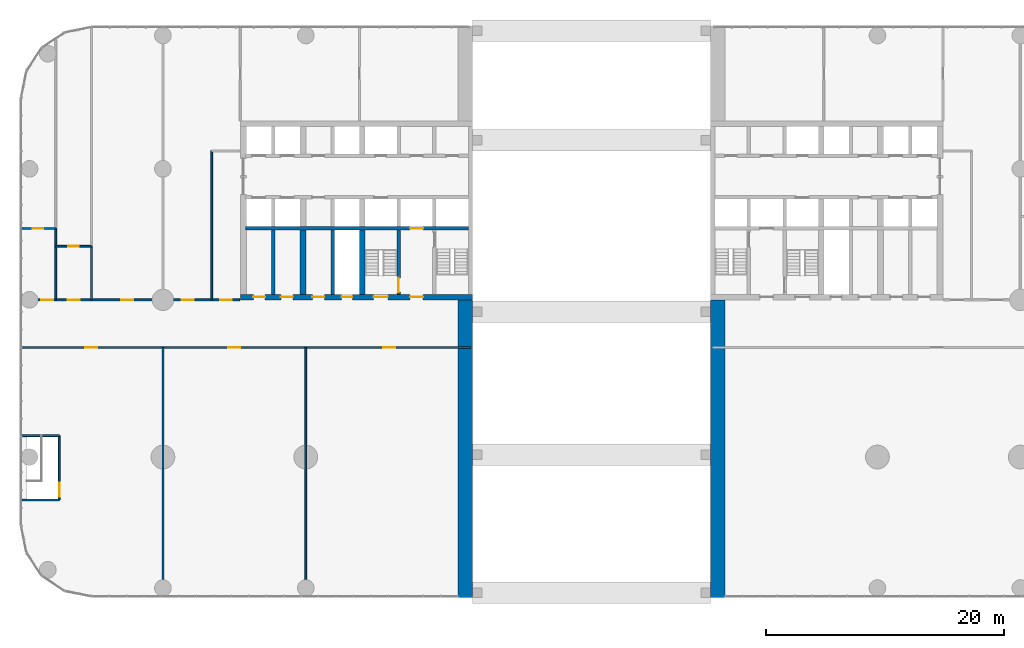
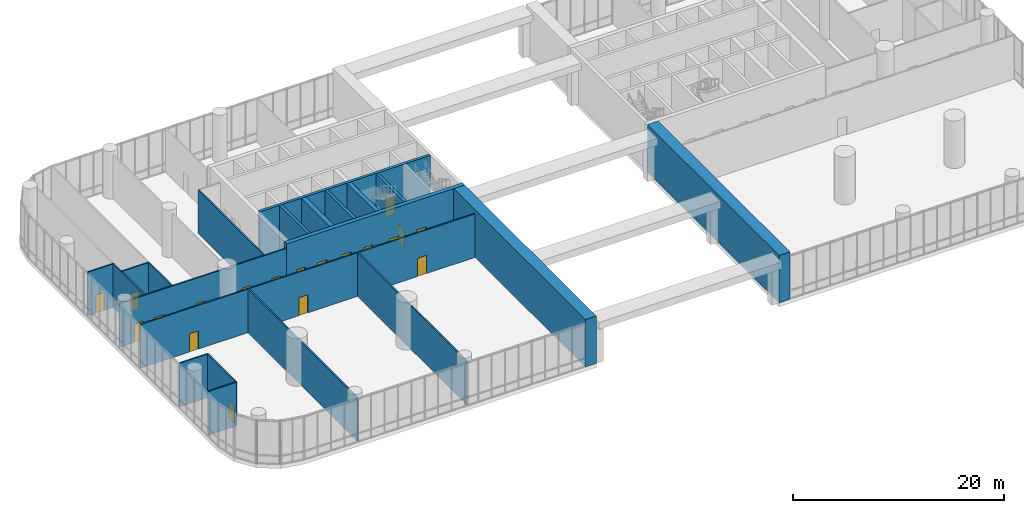
# One storey, part 24 of 30: 21 walls, 19 doors, 19 openings.
"""IFC4 building model written with IfcOpenShell, lengths in metres."""

from ifc_helpers import new_model, si_unit, direction, frame, frame_2d, origin, place, context, subcontext, project, spatial, rectangle, extrude, material, layer, layer_set, type_object, element, fill, save


model = new_model("IFC4")

# Units and contexts
model_context = context("Model", 3, precision=1e-05, world=origin(), true_north=direction((0.0, 1.0)))
body_context = subcontext(model_context, "Body", "Model", "MODEL_VIEW")
ifc_project = project(units=[si_unit("LENGTHUNIT", "METRE"), si_unit("AREAUNIT", "SQUARE_METRE"), si_unit("VOLUMEUNIT", "CUBIC_METRE"), si_unit("PLANEANGLEUNIT", "RADIAN"), si_unit("MASSUNIT", "GRAM", prefix="KILO")], contexts=[model_context])

# Site, building, storey
site_placement = place(None, origin())
site = spatial("IfcSite", under=ifc_project, at=site_placement, CompositionType="ELEMENT")
building_placement = place(site_placement, origin())
building = spatial("IfcBuilding", under=site, at=building_placement, Name="Torana Hotel and Residences", CompositionType="ELEMENT")
storey_placement = place(building_placement, frame((0.0, 0.0, 12.5)))
storey = spatial("IfcBuildingStorey", under=building, at=storey_placement, Name="L02", CompositionType="ELEMENT", Elevation=12.5)

# Walls
ifc_material_1 = material(Name="Concrete C70/85", Category="concrete")
ifc_layer_1 = layer(ifc_material_1, 1.199951171875)
ifc_layer_set_1 = layer_set([ifc_layer_1], Name="CORE WALL 1200 C70/85")
wall_type_1 = type_object("IfcWallType", Name="CORE WALL 1200 C70/85", PredefinedType="SHEAR", material=ifc_layer_set_1)
for number, where, z_axis, x_axis, name in (
    (1, (-10.60009765625, -40.0, 0.0), (0.0, 0.0, 1.0), (0.0, 1.0, 0.0), "Arch jamb wall W"),
    (2, (10.60009765625, -40.0, 0.0), (0.0, 0.0, 1.0), (0.0, 1.0, 0.0), "Arch jamb wall E"),
):
    element("IfcWall", number, at=place(storey_placement, frame(where, z_axis=z_axis, x_axis=x_axis)), inside=storey, type_object=wall_type_1, Name=name, PredefinedType="SHEAR", context=body_context, shape_type="SweptSolid", body=[
        extrude(rectangle(XDim=25.0, YDim=1.199951171875, at=frame_2d((12.5, 0.0))), origin(), (0.0, 0.0, 1.0), 5.5),
    ])

# Wall, opening, door
ifc_material_2 = material(Name="Concrete C80/95", Category="concrete")
ifc_layer_2 = layer(ifc_material_2, 0.300048828125)
ifc_layer_set_2 = layer_set([ifc_layer_2], Name="CORE WALL 300 C80/95")
wall_type_2 = type_object("IfcWallType", Name="CORE WALL 300 C80/95", PredefinedType="SHEAR", material=ifc_layer_set_2)
wall_1_placement = place(storey_placement, frame((-29.050048828125, -9.0, 0.0), z_axis=(0.0, 0.0, 1.0), x_axis=(1.0, 0.0, 0.0)))
wall_1 = element("IfcWall", 3, at=wall_1_placement, inside=storey, type_object=wall_type_2, Name="Core wall W band", PredefinedType="SHEAR", context=body_context, shape_type="SweptSolid", body=[
    extrude(rectangle(XDim=18.699951171875, YDim=0.300048828125, at=frame_2d((9.35009765625, 0.0))), origin(), (0.0, 0.0, 1.0), 5.5),
])
opening_1_placement = place(wall_1_placement, frame((13.800048828125, 0.0, 0.0)))
opening_1 = element("IfcOpeningElement", 4, at=opening_1_placement, cuts=wall_1, Name="Opening LD", PredefinedType="OPENING", context=body_context, shape_type="SweptSolid", body=[
    extrude(rectangle(XDim=1.10009765625, YDim=2.10009765625, at=frame_2d((0.550048828125, 1.050048828125))), frame((0.0, 0.159912109375, 0.0), z_axis=(0.0, -1.0, 0.0), x_axis=(1.0, 0.0, 0.0)), (0.0, 0.0, 1.0), 0.320068359375),
])
ifc_material_3 = material(Name="Stainless steel 316", Category="steel")
door_type_1 = type_object("IfcDoorType", Name="LIFT LANDING DOOR LD 1100x2100", OperationType="DOUBLE_DOOR_SLIDING", PredefinedType="USERDEFINED", material=ifc_material_3)
door_1_placement = place(opening_1_placement, origin())
door_1 = element("IfcDoor", 5, at=door_1_placement, inside=storey, type_object=door_type_1, Name="Lift landing door FF1 L02", ObjectType="LIFT LANDING DOOR", OperationType="DOUBLE_DOOR_SLIDING", OverallHeight=2.10009765625, OverallWidth=1.10009765625, PredefinedType="USERDEFINED", context=body_context, shape_type="SweptSolid", body=[
    extrude(rectangle(XDim=1.10009765625, YDim=2.10009765625, at=frame_2d((0.550048828125, 1.050048828125))), frame((0.0, 0.02490234375, 0.0), z_axis=(0.0, -1.0, 0.0), x_axis=(1.0, 0.0, 0.0)), (0.0, 0.0, 1.0), 0.050048828125),
])
fill(opening_1, door_1)

wall_2_placement = place(storey_placement, frame((-16.199951171875, -14.550048828125, 0.0), z_axis=(0.0, 0.0, 1.0), x_axis=(0.0, 1.0, 0.0)))
wall_2 = element("IfcWall", 6, at=wall_2_placement, inside=storey, type_object=wall_type_2, Name="Core wall W x6.05-band", PredefinedType="SHEAR", context=body_context, shape_type="SweptSolid", body=[
    extrude(rectangle(XDim=5.400146484375, YDim=0.300048828125, at=frame_2d((2.7001953125, 0.0))), origin(), (0.0, 0.0, 1.0), 5.5),
])
opening_2_placement = place(wall_2_placement, frame((0.199951171875, 0.0, 0.0)))
opening_2 = element("IfcOpeningElement", 7, at=opening_2_placement, cuts=wall_2, Name="Opening L02-15", PredefinedType="OPENING", context=body_context, shape_type="SweptSolid", body=[
    extrude(rectangle(XDim=1.199951171875, YDim=2.10009765625, at=frame_2d((0.60009765625, 1.050048828125))), frame((0.0, 0.159912109375, 0.0), z_axis=(0.0, -1.0, 0.0), x_axis=(1.0, 0.0, 0.0)), (0.0, 0.0, 1.0), 0.320068359375),
])
ifc_material_4 = material(Name="Steel S235", Category="steel")
door_type_2 = type_object("IfcDoorType", Name="STAIR FIRE DOOR D3 1200x2100", OperationType="SINGLE_SWING_LEFT", PredefinedType="DOOR", material=ifc_material_4)
door_2_placement = place(opening_2_placement, origin())
door_2 = element("IfcDoor", 8, at=door_2_placement, inside=storey, type_object=door_type_2, Name="Stair-B-lobby door L02", OperationType="SINGLE_SWING_RIGHT", OverallHeight=2.10009765625, OverallWidth=1.199951171875, PredefinedType="DOOR", context=body_context, shape_type="SweptSolid", body=[
    extrude(rectangle(XDim=1.199951171875, YDim=2.10009765625, at=frame_2d((0.60009765625, 1.050048828125))), frame((0.0, 0.02490234375, 0.0), z_axis=(0.0, -1.0, 0.0), x_axis=(1.0, 0.0, 0.0)), (0.0, 0.0, 1.0), 0.050048828125),
])
fill(opening_2, door_2)

# Walls
for number, where, z_axis, x_axis, name in (
    (9, (-21.75, -14.550048828125, 0.0), (0.0, 0.0, 1.0), (0.0, 1.0, 0.0), "Core wall W mm-band"),
    (10, (-26.75, -14.550048828125, 0.0), (0.0, 0.0, 1.0), (0.0, 1.0, 0.0), "Core wall W ll-band"),
):
    element("IfcWall", number, at=place(storey_placement, frame(where, z_axis=z_axis, x_axis=x_axis)), inside=storey, type_object=wall_type_2, Name=name, PredefinedType="SHEAR", context=body_context, shape_type="SweptSolid", body=[
        extrude(rectangle(XDim=5.400146484375, YDim=0.300048828125, at=frame_2d((2.7001953125, 0.0))), origin(), (0.0, 0.0, 1.0), 5.5),
    ])

# Wall, openings, doors
ifc_material_5 = material(Name="Concrete C80/95", Category="concrete")
ifc_layer_3 = layer(ifc_material_5, 0.449951171875)
ifc_layer_set_3 = layer_set([ifc_layer_3], Name="CORE WALL 450 C80/95")
wall_type_3 = type_object("IfcWallType", Name="CORE WALL 450 C80/95", PredefinedType="SHEAR", material=ifc_layer_set_3)
wall_3_placement = place(storey_placement, frame((-29.5, -14.77490234375, 0.0), z_axis=(0.0, 0.0, 1.0), x_axis=(1.0, 0.0, 0.0)))
wall_3 = element("IfcWall", 11, at=wall_3_placement, inside=storey, type_object=wall_type_3, Name="Core wall W front", PredefinedType="SHEAR", context=body_context, shape_type="SweptSolid", body=[
    extrude(rectangle(XDim=19.5, YDim=0.449951171875, at=frame_2d((9.75, 0.0))), origin(), (0.0, 0.0, 1.0), 5.5),
])
opening_3_placement = place(wall_3_placement, frame((11.199951171875, 0.0, 0.0)))
opening_3 = element("IfcOpeningElement", 12, at=opening_3_placement, cuts=wall_3, Name="Opening L02-03", PredefinedType="OPENING", context=body_context, shape_type="SweptSolid", body=[
    extrude(rectangle(XDim=1.199951171875, YDim=2.10009765625, at=frame_2d((0.60009765625, 1.050048828125))), frame((0.0, 0.23486328125, 0.0), z_axis=(0.0, -1.0, 0.0), x_axis=(1.0, 0.0, 0.0)), (0.0, 0.0, 1.0), 0.469970703125),
])
opening_4_placement = place(wall_3_placement, frame((14.25, 0.0, 0.0)))
opening_4 = element("IfcOpeningElement", 13, at=opening_4_placement, cuts=wall_3, Name="Opening L02-04", PredefinedType="OPENING", context=body_context, shape_type="SweptSolid", body=[
    extrude(rectangle(XDim=1.10009765625, YDim=2.10009765625, at=frame_2d((0.550048828125, 1.050048828125))), frame((0.0, 0.23486328125, 0.0), z_axis=(0.0, -1.0, 0.0), x_axis=(1.0, 0.0, 0.0)), (0.0, 0.0, 1.0), 0.469970703125),
])
opening_5_placement = place(wall_3_placement, frame((8.5, 0.0, 0.0)))
opening_5 = element("IfcOpeningElement", 14, at=opening_5_placement, cuts=wall_3, Name="Opening L02-05", PredefinedType="OPENING", context=body_context, shape_type="SweptSolid", body=[
    extrude(rectangle(XDim=0.89990234375, YDim=2.10009765625, at=frame_2d((0.449951171875, 1.050048828125))), frame((0.0, 0.23486328125, 0.0), z_axis=(0.0, -1.0, 0.0), x_axis=(1.0, 0.0, 0.0)), (0.0, 0.0, 1.0), 0.469970703125),
])
opening_6_placement = place(wall_3_placement, frame((6.050048828125, 0.0, 0.0)))
opening_6 = element("IfcOpeningElement", 15, at=opening_6_placement, cuts=wall_3, Name="Opening L02-06", PredefinedType="OPENING", context=body_context, shape_type="SweptSolid", body=[
    extrude(rectangle(XDim=1.0, YDim=2.10009765625, at=frame_2d((0.5, 1.050048828125))), frame((0.0, 0.23486328125, 0.0), z_axis=(0.0, -1.0, 0.0), x_axis=(1.0, 0.0, 0.0)), (0.0, 0.0, 1.0), 0.469970703125),
])
opening_7_placement = place(wall_3_placement, frame((3.41259765625, 0.0, 0.0)))
opening_7 = element("IfcOpeningElement", 16, at=opening_7_placement, cuts=wall_3, Name="Opening L02-07", PredefinedType="OPENING", context=body_context, shape_type="SweptSolid", body=[
    extrude(rectangle(XDim=1.0, YDim=2.10009765625, at=frame_2d((0.5, 1.050048828125))), frame((0.0, 0.23486328125, 0.0), z_axis=(0.0, -1.0, 0.0), x_axis=(1.0, 0.0, 0.0)), (0.0, 0.0, 1.0), 0.469970703125),
])
opening_8_placement = place(wall_3_placement, frame((1.08740234375, 0.0, 0.0)))
opening_8 = element("IfcOpeningElement", 17, at=opening_8_placement, cuts=wall_3, Name="Opening L02-08", PredefinedType="OPENING", context=body_context, shape_type="SweptSolid", body=[
    extrude(rectangle(XDim=1.0, YDim=2.10009765625, at=frame_2d((0.5, 1.050048828125))), frame((0.0, 0.23486328125, 0.0), z_axis=(0.0, -1.0, 0.0), x_axis=(1.0, 0.0, 0.0)), (0.0, 0.0, 1.0), 0.469970703125),
])
ifc_material_6 = material(Name="Steel S235", Category="steel")
door_type_3 = type_object("IfcDoorType", Name="CORE ROOM FIRE DOOR D14 1000x2100", OperationType="SINGLE_SWING_LEFT", PredefinedType="DOOR", material=ifc_material_6)
door_3_placement = place(opening_6_placement, origin())
door_3 = element("IfcDoor", 18, at=door_3_placement, inside=storey, type_object=door_type_3, Name="M-Room door L02", OperationType="SINGLE_SWING_RIGHT", OverallHeight=2.10009765625, OverallWidth=1.0, PredefinedType="DOOR", context=body_context, shape_type="SweptSolid", body=[
    extrude(rectangle(XDim=1.0, YDim=2.10009765625, at=frame_2d((0.5, 1.050048828125))), frame((0.0, 0.02490234375, 0.0), z_axis=(0.0, -1.0, 0.0), x_axis=(1.0, 0.0, 0.0)), (0.0, 0.0, 1.0), 0.050048828125),
])
fill(opening_6, door_3)
door_4_placement = place(opening_7_placement, origin())
door_4 = element("IfcDoor", 19, at=door_4_placement, inside=storey, type_object=door_type_3, Name="L-A door L02", OperationType="SINGLE_SWING_RIGHT", OverallHeight=2.10009765625, OverallWidth=1.0, PredefinedType="DOOR", context=body_context, shape_type="SweptSolid", body=[
    extrude(rectangle(XDim=1.0, YDim=2.10009765625, at=frame_2d((0.5, 1.050048828125))), frame((0.0, 0.02490234375, 0.0), z_axis=(0.0, -1.0, 0.0), x_axis=(1.0, 0.0, 0.0)), (0.0, 0.0, 1.0), 0.050048828125),
])
fill(opening_7, door_4)
door_5_placement = place(opening_8_placement, origin())
door_5 = element("IfcDoor", 20, at=door_5_placement, inside=storey, type_object=door_type_3, Name="L-B door L02", OperationType="SINGLE_SWING_RIGHT", OverallHeight=2.10009765625, OverallWidth=1.0, PredefinedType="DOOR", context=body_context, shape_type="SweptSolid", body=[
    extrude(rectangle(XDim=1.0, YDim=2.10009765625, at=frame_2d((0.5, 1.050048828125))), frame((0.0, 0.02490234375, 0.0), z_axis=(0.0, -1.0, 0.0), x_axis=(1.0, 0.0, 0.0)), (0.0, 0.0, 1.0), 0.050048828125),
])
fill(opening_8, door_5)
ifc_material_7 = material(Name="Steel S235", Category="steel")
door_type_4 = type_object("IfcDoorType", Name="FIRE-FIGHTING LOBBY DOOR D8 1100x2100", OperationType="SINGLE_SWING_LEFT", PredefinedType="DOOR", material=ifc_material_7)
door_6_placement = place(opening_4_placement, origin())
door_6 = element("IfcDoor", 21, at=door_6_placement, inside=storey, type_object=door_type_4, Name="FF-lobby door L02", OperationType="SINGLE_SWING_RIGHT", OverallHeight=2.10009765625, OverallWidth=1.10009765625, PredefinedType="DOOR", context=body_context, shape_type="SweptSolid", body=[
    extrude(rectangle(XDim=1.10009765625, YDim=2.10009765625, at=frame_2d((0.550048828125, 1.050048828125))), frame((0.0, 0.02490234375, 0.0), z_axis=(0.0, -1.0, 0.0), x_axis=(1.0, 0.0, 0.0)), (0.0, 0.0, 1.0), 0.050048828125),
])
fill(opening_4, door_6)
ifc_material_8 = material(Name="Steel S235", Category="steel")
door_type_5 = type_object("IfcDoorType", Name="RISER ACCESS DOOR D5 900x2100", OperationType="SINGLE_SWING_LEFT", PredefinedType="DOOR", material=ifc_material_8)
door_7_placement = place(opening_5_placement, origin())
door_7 = element("IfcDoor", 22, at=door_7_placement, inside=storey, type_object=door_type_5, Name="M-Riser door L02", OperationType="SINGLE_SWING_RIGHT", OverallHeight=2.10009765625, OverallWidth=0.89990234375, PredefinedType="DOOR", context=body_context, shape_type="SweptSolid", body=[
    extrude(rectangle(XDim=0.89990234375, YDim=2.10009765625, at=frame_2d((0.449951171875, 1.050048828125))), frame((0.0, 0.02490234375, 0.0), z_axis=(0.0, -1.0, 0.0), x_axis=(1.0, 0.0, 0.0)), (0.0, 0.0, 1.0), 0.050048828125),
])
fill(opening_5, door_7)
door_8_placement = place(opening_3_placement, origin())
door_8 = element("IfcDoor", 23, at=door_8_placement, inside=storey, type_object=door_type_2, Name="Stair-B door L02", OperationType="SINGLE_SWING_RIGHT", OverallHeight=2.10009765625, OverallWidth=1.199951171875, PredefinedType="DOOR", context=body_context, shape_type="SweptSolid", body=[
    extrude(rectangle(XDim=1.199951171875, YDim=2.10009765625, at=frame_2d((0.60009765625, 1.050048828125))), frame((0.0, 0.02490234375, 0.0), z_axis=(0.0, -1.0, 0.0), x_axis=(1.0, 0.0, 0.0)), (0.0, 0.0, 1.0), 0.050048828125),
])
fill(opening_3, door_8)

# Walls
wall_4_placement = place(storey_placement, frame((-19.27490234375, -14.550048828125, 0.0), z_axis=(0.0, 0.0, 1.0), x_axis=(0.0, 1.0, 0.0)))
element("IfcWall", 24, at=wall_4_placement, inside=storey, type_object=wall_type_3, Name="Core wall W hm-band", PredefinedType="SHEAR", context=body_context, shape_type="SweptSolid", body=[
    extrude(rectangle(XDim=5.400146484375, YDim=0.449951171875, at=frame_2d((2.7001953125, 0.0))), origin(), (0.0, 0.0, 1.0), 5.5),
])
ifc_material_9 = material(Name="Concrete C80/95", Category="concrete")
ifc_layer_4 = layer(ifc_material_9, 0.5)
ifc_layer_set_4 = layer_set([ifc_layer_4], Name="CORE WALL 500 C80/95")
wall_type_4 = type_object("IfcWallType", Name="CORE WALL 500 C80/95", PredefinedType="SHEAR", material=ifc_layer_set_4)
wall_5_placement = place(storey_placement, frame((-24.25, -14.550048828125, 0.0), z_axis=(0.0, 0.0, 1.0), x_axis=(0.0, 1.0, 0.0)))
element("IfcWall", 25, at=wall_5_placement, inside=storey, type_object=wall_type_4, Name="Core wall W ml-band", PredefinedType="SHEAR", context=body_context, shape_type="SweptSolid", body=[
    extrude(rectangle(XDim=5.400146484375, YDim=0.5, at=frame_2d((2.7001953125, 0.0))), origin(), (0.0, 0.0, 1.0), 5.5),
])
ifc_material_10 = material(Name="Gypsum plaster")
ifc_layer_5 = layer(ifc_material_10, 0.014892578125, Name="Plaster", Category="finish")
ifc_material_11 = material(Name="Concrete blockwork", Category="masonry")
ifc_layer_6 = layer(ifc_material_11, 0.1201171875, Name="Blockwork", Category="structure")
ifc_layer_7 = layer(ifc_material_10, 0.014892578125, Name="Plaster", Category="finish")
ifc_layer_set_5 = layer_set([ifc_layer_5, ifc_layer_6, ifc_layer_7], Name="FIRE PARTITION 150 BLOCKWORK")
wall_type_5 = type_object("IfcWallType", Name="FIRE PARTITION 150 BLOCKWORK", PredefinedType="PARTITIONING", material=ifc_layer_set_5)
wall_6_placement = place(storey_placement, frame((-31.89990234375, -15.0, 0.0), z_axis=(0.0, 0.0, 1.0), x_axis=(0.0, 1.0, 0.0)))
element("IfcWall", 26, at=wall_6_placement, inside=storey, type_object=wall_type_5, Name="Partition L02", PredefinedType="PARTITIONING", context=body_context, shape_type="SweptSolid", body=[
    extrude(rectangle(XDim=12.5, YDim=0.14990234375, at=frame_2d((6.25, 0.0))), origin(), (0.0, 0.0, 1.0), 5.050048828125),
])

# Wall, opening, door
wall_7_placement = place(storey_placement, frame((-44.699951171875, -31.800048828125, 0.0), z_axis=(0.0, 0.0, 1.0), x_axis=(0.0, 1.0, 0.0)))
wall_7 = element("IfcWall", 27, at=wall_7_placement, inside=storey, type_object=wall_type_5, Name="Partition L02", PredefinedType="PARTITIONING", context=body_context, shape_type="SweptSolid", body=[
    extrude(rectangle(XDim=5.400146484375, YDim=0.14990234375, at=frame_2d((2.7001953125, 0.0))), origin(), (0.0, 0.0, 1.0), 5.050048828125),
])
opening_9_placement = place(wall_7_placement, frame((0.25, 0.0, 0.0)))
opening_9 = element("IfcOpeningElement", 28, at=opening_9_placement, cuts=wall_7, Name="Opening L02-50", PredefinedType="OPENING", context=body_context, shape_type="SweptSolid", body=[
    extrude(rectangle(XDim=1.199951171875, YDim=2.10009765625, at=frame_2d((0.60009765625, 1.050048828125))), frame((0.0, 0.0849609375, 0.0), z_axis=(0.0, -1.0, 0.0), x_axis=(1.0, 0.0, 0.0)), (0.0, 0.0, 1.0), 0.169921875),
])
door_9_placement = place(opening_9_placement, origin())
door_9 = element("IfcDoor", 29, at=door_9_placement, inside=storey, type_object=door_type_2, Name="Door L02", OperationType="SINGLE_SWING_RIGHT", OverallHeight=2.10009765625, OverallWidth=1.199951171875, PredefinedType="DOOR", context=body_context, shape_type="SweptSolid", body=[
    extrude(rectangle(XDim=1.199951171875, YDim=2.10009765625, at=frame_2d((0.60009765625, 1.050048828125))), frame((0.0, 0.02490234375, 0.0), z_axis=(0.0, -1.0, 0.0), x_axis=(1.0, 0.0, 0.0)), (0.0, 0.0, 1.0), 0.050048828125),
])
fill(opening_9, door_9)

# Walls
for number, where, z_axis, x_axis, name in (
    (30, (-47.820068359375, -31.800048828125, 0.0), (0.0, 0.0, 1.0), (1.0, 0.0, 0.0), "Partition L02"),
    (31, (-47.820068359375, -26.39990234375, 0.0), (0.0, 0.0, 1.0), (1.0, 0.0, 0.0), "Partition L02"),
):
    element("IfcWall", number, at=place(storey_placement, frame(where, z_axis=z_axis, x_axis=x_axis)), inside=storey, type_object=wall_type_5, Name=name, PredefinedType="PARTITIONING", context=body_context, shape_type="SweptSolid", body=[
        extrude(rectangle(XDim=3.1201171875, YDim=0.14990234375, at=frame_2d((1.56005859375, 0.0))), origin(), (0.0, 0.0, 1.0), 5.050048828125),
    ])

# Wall, openings, doors
wall_8_placement = place(storey_placement, frame((-47.820068359375, -19.0, 0.0), z_axis=(0.0, 0.0, 1.0), x_axis=(1.0, 0.0, 0.0)))
wall_8 = element("IfcWall", 32, at=wall_8_placement, inside=storey, type_object=wall_type_5, Name="Partition L02", PredefinedType="PARTITIONING", context=body_context, shape_type="SweptSolid", body=[
    extrude(rectangle(XDim=37.64013671875, YDim=0.14990234375, at=frame_2d((18.820068359375, 0.0))), origin(), (0.0, 0.0, 1.0), 5.050048828125),
])
opening_10_placement = place(wall_8_placement, frame((5.320068359375, 0.0, 0.0)))
opening_10 = element("IfcOpeningElement", 33, at=opening_10_placement, cuts=wall_8, Name="Opening L02-42", PredefinedType="OPENING", context=body_context, shape_type="SweptSolid", body=[
    extrude(rectangle(XDim=1.0, YDim=2.10009765625, at=frame_2d((0.5, 1.050048828125))), frame((0.0, 0.0849609375, 0.0), z_axis=(0.0, -1.0, 0.0), x_axis=(1.0, 0.0, 0.0)), (0.0, 0.0, 1.0), 0.169921875),
])
opening_11_placement = place(wall_8_placement, frame((17.320068359375, 0.0, 0.0)))
opening_11 = element("IfcOpeningElement", 34, at=opening_11_placement, cuts=wall_8, Name="Opening L02-43", PredefinedType="OPENING", context=body_context, shape_type="SweptSolid", body=[
    extrude(rectangle(XDim=1.0, YDim=2.10009765625, at=frame_2d((0.5, 1.050048828125))), frame((0.0, 0.0849609375, 0.0), z_axis=(0.0, -1.0, 0.0), x_axis=(1.0, 0.0, 0.0)), (0.0, 0.0, 1.0), 0.169921875),
])
opening_12_placement = place(wall_8_placement, frame((30.320068359375, 0.0, 0.0)))
opening_12 = element("IfcOpeningElement", 35, at=opening_12_placement, cuts=wall_8, Name="Opening L02-44", PredefinedType="OPENING", context=body_context, shape_type="SweptSolid", body=[
    extrude(rectangle(XDim=1.0, YDim=2.10009765625, at=frame_2d((0.5, 1.050048828125))), frame((0.0, 0.0849609375, 0.0), z_axis=(0.0, -1.0, 0.0), x_axis=(1.0, 0.0, 0.0)), (0.0, 0.0, 1.0), 0.169921875),
])
ifc_material_12 = material(Name="Steel S235", Category="steel")
door_type_6 = type_object("IfcDoorType", Name="ENTRY FIRE DOOR D6 1000x2100", OperationType="SINGLE_SWING_LEFT", PredefinedType="DOOR", material=ifc_material_12)
door_10_placement = place(opening_10_placement, frame((0.5, 0.0, 0.0), z_axis=(0.0, 0.0, 1.0), x_axis=(-1.0, 0.0, 0.0)))
door_10 = element("IfcDoor", 36, at=door_10_placement, inside=storey, type_object=door_type_6, Name="Door L02", OperationType="SINGLE_SWING_LEFT", OverallHeight=2.10009765625, OverallWidth=1.0, PredefinedType="DOOR", context=body_context, shape_type="SweptSolid", body=[
    extrude(rectangle(XDim=1.0, YDim=2.10009765625, at=frame_2d((0.0, 1.050048828125))), frame((0.0, -0.02490234375, 0.0), z_axis=(0.0, 1.0, 0.0), x_axis=(-1.0, 0.0, 0.0)), (0.0, 0.0, 1.0), 0.050048828125),
])
fill(opening_10, door_10)
door_11_placement = place(opening_11_placement, frame((0.5, 0.0, 0.0), z_axis=(0.0, 0.0, 1.0), x_axis=(-1.0, 0.0, 0.0)))
door_11 = element("IfcDoor", 37, at=door_11_placement, inside=storey, type_object=door_type_6, Name="Door L02", OperationType="SINGLE_SWING_LEFT", OverallHeight=2.10009765625, OverallWidth=1.0, PredefinedType="DOOR", context=body_context, shape_type="SweptSolid", body=[
    extrude(rectangle(XDim=1.0, YDim=2.10009765625, at=frame_2d((0.0, 1.050048828125))), frame((0.0, -0.02490234375, 0.0), z_axis=(0.0, 1.0, 0.0), x_axis=(-1.0, 0.0, 0.0)), (0.0, 0.0, 1.0), 0.050048828125),
])
fill(opening_11, door_11)
door_12_placement = place(opening_12_placement, frame((0.5, 0.0, 0.0), z_axis=(0.0, 0.0, 1.0), x_axis=(-1.0, 0.0, 0.0)))
door_12 = element("IfcDoor", 38, at=door_12_placement, inside=storey, type_object=door_type_6, Name="Door L02", OperationType="SINGLE_SWING_LEFT", OverallHeight=2.10009765625, OverallWidth=1.0, PredefinedType="DOOR", context=body_context, shape_type="SweptSolid", body=[
    extrude(rectangle(XDim=1.0, YDim=2.10009765625, at=frame_2d((0.0, 1.050048828125))), frame((0.0, -0.02490234375, 0.0), z_axis=(0.0, 1.0, 0.0), x_axis=(-1.0, 0.0, 0.0)), (0.0, 0.0, 1.0), 0.050048828125),
])
fill(opening_12, door_12)

wall_9_placement = place(storey_placement, frame((-47.820068359375, -15.0, 0.0), z_axis=(0.0, 0.0, 1.0), x_axis=(1.0, 0.0, 0.0)))
wall_9 = element("IfcWall", 39, at=wall_9_placement, inside=storey, type_object=wall_type_5, Name="Partition L02", PredefinedType="PARTITIONING", context=body_context, shape_type="SweptSolid", body=[
    extrude(rectangle(XDim=18.27001953125, YDim=0.14990234375, at=frame_2d((9.135009765625, 0.0))), origin(), (0.0, 0.0, 1.0), 5.050048828125),
])
opening_13_placement = place(wall_9_placement, frame((1.6201171875, 0.0, 0.0)))
opening_13 = element("IfcOpeningElement", 40, at=opening_13_placement, cuts=wall_9, Name="Opening L02-45", PredefinedType="OPENING", context=body_context, shape_type="SweptSolid", body=[
    extrude(rectangle(XDim=1.0, YDim=2.10009765625, at=frame_2d((0.5, 1.050048828125))), frame((0.0, 0.0849609375, 0.0), z_axis=(0.0, -1.0, 0.0), x_axis=(1.0, 0.0, 0.0)), (0.0, 0.0, 1.0), 0.169921875),
])
opening_14_placement = place(wall_9_placement, frame((3.840087890625, 0.0, 0.0)))
opening_14 = element("IfcOpeningElement", 41, at=opening_14_placement, cuts=wall_9, Name="Opening L02-46", PredefinedType="OPENING", context=body_context, shape_type="SweptSolid", body=[
    extrude(rectangle(XDim=1.0, YDim=2.10009765625, at=frame_2d((0.5, 1.050048828125))), frame((0.0, 0.0849609375, 0.0), z_axis=(0.0, -1.0, 0.0), x_axis=(1.0, 0.0, 0.0)), (0.0, 0.0, 1.0), 0.169921875),
])
opening_15_placement = place(wall_9_placement, frame((8.340087890625, 0.0, 0.0)))
opening_15 = element("IfcOpeningElement", 42, at=opening_15_placement, cuts=wall_9, Name="Opening L02-47", PredefinedType="OPENING", context=body_context, shape_type="SweptSolid", body=[
    extrude(rectangle(XDim=1.0, YDim=2.10009765625, at=frame_2d((0.5, 1.050048828125))), frame((0.0, 0.0849609375, 0.0), z_axis=(0.0, -1.0, 0.0), x_axis=(1.0, 0.0, 0.0)), (0.0, 0.0, 1.0), 0.169921875),
])
opening_16_placement = place(wall_9_placement, frame((13.389892578125, 0.0, 0.0)))
opening_16 = element("IfcOpeningElement", 43, at=opening_16_placement, cuts=wall_9, Name="Opening L02-48", PredefinedType="OPENING", context=body_context, shape_type="SweptSolid", body=[
    extrude(rectangle(XDim=1.0, YDim=2.10009765625, at=frame_2d((0.5, 1.050048828125))), frame((0.0, 0.0849609375, 0.0), z_axis=(0.0, -1.0, 0.0), x_axis=(1.0, 0.0, 0.0)), (0.0, 0.0, 1.0), 0.169921875),
])
opening_17_placement = place(wall_9_placement, frame((16.6201171875, 0.0, 0.0)))
opening_17 = element("IfcOpeningElement", 44, at=opening_17_placement, cuts=wall_9, Name="Opening L02-49", PredefinedType="OPENING", context=body_context, shape_type="SweptSolid", body=[
    extrude(rectangle(XDim=1.0, YDim=2.10009765625, at=frame_2d((0.5, 1.050048828125))), frame((0.0, 0.0849609375, 0.0), z_axis=(0.0, -1.0, 0.0), x_axis=(1.0, 0.0, 0.0)), (0.0, 0.0, 1.0), 0.169921875),
])
door_13_placement = place(opening_13_placement, origin())
door_13 = element("IfcDoor", 45, at=door_13_placement, inside=storey, type_object=door_type_3, Name="Door L02", OperationType="SINGLE_SWING_LEFT", OverallHeight=2.10009765625, OverallWidth=1.0, PredefinedType="DOOR", context=body_context, shape_type="SweptSolid", body=[
    extrude(rectangle(XDim=1.0, YDim=2.10009765625, at=frame_2d((0.5, 1.050048828125))), frame((0.0, 0.02490234375, 0.0), z_axis=(0.0, -1.0, 0.0), x_axis=(1.0, 0.0, 0.0)), (0.0, 0.0, 1.0), 0.050048828125),
])
fill(opening_13, door_13)
door_14_placement = place(opening_14_placement, origin())
door_14 = element("IfcDoor", 46, at=door_14_placement, inside=storey, type_object=door_type_3, Name="Door L02", OperationType="SINGLE_SWING_RIGHT", OverallHeight=2.10009765625, OverallWidth=1.0, PredefinedType="DOOR", context=body_context, shape_type="SweptSolid", body=[
    extrude(rectangle(XDim=1.0, YDim=2.10009765625, at=frame_2d((0.5, 1.050048828125))), frame((0.0, 0.02490234375, 0.0), z_axis=(0.0, -1.0, 0.0), x_axis=(1.0, 0.0, 0.0)), (0.0, 0.0, 1.0), 0.050048828125),
])
fill(opening_14, door_14)
door_15_placement = place(opening_15_placement, origin())
door_15 = element("IfcDoor", 47, at=door_15_placement, inside=storey, type_object=door_type_3, Name="Door L02", OperationType="SINGLE_SWING_RIGHT", OverallHeight=2.10009765625, OverallWidth=1.0, PredefinedType="DOOR", context=body_context, shape_type="SweptSolid", body=[
    extrude(rectangle(XDim=1.0, YDim=2.10009765625, at=frame_2d((0.5, 1.050048828125))), frame((0.0, 0.02490234375, 0.0), z_axis=(0.0, -1.0, 0.0), x_axis=(1.0, 0.0, 0.0)), (0.0, 0.0, 1.0), 0.050048828125),
])
fill(opening_15, door_15)
door_16_placement = place(opening_16_placement, origin())
door_16 = element("IfcDoor", 48, at=door_16_placement, inside=storey, type_object=door_type_3, Name="Door L02", OperationType="SINGLE_SWING_RIGHT", OverallHeight=2.10009765625, OverallWidth=1.0, PredefinedType="DOOR", context=body_context, shape_type="SweptSolid", body=[
    extrude(rectangle(XDim=1.0, YDim=2.10009765625, at=frame_2d((0.5, 1.050048828125))), frame((0.0, 0.02490234375, 0.0), z_axis=(0.0, -1.0, 0.0), x_axis=(1.0, 0.0, 0.0)), (0.0, 0.0, 1.0), 0.050048828125),
])
fill(opening_16, door_16)
door_17_placement = place(opening_17_placement, origin())
door_17 = element("IfcDoor", 49, at=door_17_placement, inside=storey, type_object=door_type_6, Name="Door L02", OperationType="SINGLE_SWING_RIGHT", OverallHeight=2.10009765625, OverallWidth=1.0, PredefinedType="DOOR", context=body_context, shape_type="SweptSolid", body=[
    extrude(rectangle(XDim=1.0, YDim=2.10009765625, at=frame_2d((0.5, 1.050048828125))), frame((0.0, 0.02490234375, 0.0), z_axis=(0.0, -1.0, 0.0), x_axis=(1.0, 0.0, 0.0)), (0.0, 0.0, 1.0), 0.050048828125),
])
fill(opening_17, door_17)

# Walls
ifc_material_13 = material(Name="Gypsum plasterboard")
ifc_layer_8 = layer(ifc_material_13, 0.012451171875, Name="Plasterboard", Category="finish")
ifc_layer_9 = layer(ifc_material_13, 0.012451171875, Name="Plasterboard", Category="finish")
ifc_material_14 = material(Name="Steel S280GD", Category="steel")
ifc_layer_10 = layer(ifc_material_14, 0.10009765625, Name="Steel studs with mineral wool", Category="insulation")
ifc_layer_11 = layer(ifc_material_13, 0.012451171875, Name="Plasterboard", Category="finish")
ifc_layer_12 = layer(ifc_material_13, 0.012451171875, Name="Plasterboard", Category="finish")
ifc_layer_set_6 = layer_set([ifc_layer_8, ifc_layer_9, ifc_layer_10, ifc_layer_11, ifc_layer_12], Name="PARTITION 150 PLASTERBOARD")
wall_type_6 = type_object("IfcWallType", Name="PARTITION 150 PLASTERBOARD", PredefinedType="PARTITIONING", material=ifc_layer_set_6)
for number, where, z_axis, x_axis, name in (
    (50, (-24.0, -39.820068359375, 0.0), (0.0, 0.0, 1.0), (0.0, 1.0, 0.0), "Partition L02"),
    (51, (-36.0, -39.820068359375, 0.0), (0.0, 0.0, 1.0), (0.0, 1.0, 0.0), "Partition L02"),
):
    element("IfcWall", number, at=place(storey_placement, frame(where, z_axis=z_axis, x_axis=x_axis)), inside=storey, type_object=wall_type_6, Name=name, PredefinedType="PARTITIONING", context=body_context, shape_type="SweptSolid", body=[
        extrude(rectangle(XDim=20.820068359375, YDim=0.14990234375, at=frame_2d((10.41015625, 0.0))), origin(), (0.0, 0.0, 1.0), 5.050048828125),
    ])
ifc_material_15 = material(Name="Ceramic tile on adhesive")
ifc_layer_13 = layer(ifc_material_15, 0.010009765625, Name="Wall tile", Category="finish")
ifc_material_16 = material(Name="Cement render")
ifc_layer_14 = layer(ifc_material_16, 0.010009765625, Name="Render", Category="finish")
ifc_layer_15 = layer(ifc_material_11, 0.110107421875, Name="Blockwork", Category="structure")
ifc_layer_16 = layer(ifc_material_16, 0.010009765625, Name="Render", Category="finish")
ifc_layer_17 = layer(ifc_material_15, 0.010009765625, Name="Wall tile", Category="finish")
ifc_layer_set_7 = layer_set([ifc_layer_13, ifc_layer_14, ifc_layer_15, ifc_layer_16, ifc_layer_17], Name="WC PARTITION 150")
wall_type_7 = type_object("IfcWallType", Name="WC PARTITION 150", PredefinedType="PLUMBINGWALL", material=ifc_layer_set_7)
wall_10_placement = place(storey_placement, frame((-42.0, -15.0, 0.0), z_axis=(0.0, 0.0, 1.0), x_axis=(0.0, 1.0, 0.0)))
element("IfcWall", 52, at=wall_10_placement, inside=storey, type_object=wall_type_7, Name="Partition L02", PredefinedType="PLUMBINGWALL", context=body_context, shape_type="SweptSolid", body=[
    extrude(rectangle(XDim=4.5, YDim=0.14990234375, at=frame_2d((2.25, 0.0))), origin(), (0.0, 0.0, 1.0), 5.050048828125),
])
wall_11_placement = place(storey_placement, frame((-45.0, -15.0, 0.0), z_axis=(0.0, 0.0, 1.0), x_axis=(0.0, 1.0, 0.0)))
element("IfcWall", 53, at=wall_11_placement, inside=storey, type_object=wall_type_7, Name="Partition L02", PredefinedType="PLUMBINGWALL", context=body_context, shape_type="SweptSolid", body=[
    extrude(rectangle(XDim=6.0, YDim=0.14990234375, at=frame_2d((3.0, 0.0))), origin(), (0.0, 0.0, 1.0), 5.050048828125),
])

# Wall, opening, door
wall_12_placement = place(storey_placement, frame((-45.0, -10.5, 0.0), z_axis=(0.0, 0.0, 1.0), x_axis=(1.0, 0.0, 0.0)))
wall_12 = element("IfcWall", 54, at=wall_12_placement, inside=storey, type_object=wall_type_7, Name="Partition L02", PredefinedType="PLUMBINGWALL", context=body_context, shape_type="SweptSolid", body=[
    extrude(rectangle(XDim=3.0, YDim=0.14990234375, at=frame_2d((1.5, 0.0))), origin(), (0.0, 0.0, 1.0), 5.050048828125),
])
opening_18_placement = place(wall_12_placement, frame((1.050048828125, 0.0, 0.0)))
opening_18 = element("IfcOpeningElement", 55, at=opening_18_placement, cuts=wall_12, Name="Opening L02-52", PredefinedType="OPENING", context=body_context, shape_type="SweptSolid", body=[
    extrude(rectangle(XDim=0.89990234375, YDim=2.10009765625, at=frame_2d((0.449951171875, 1.050048828125))), frame((0.0, 0.0849609375, 0.0), z_axis=(0.0, -1.0, 0.0), x_axis=(1.0, 0.0, 0.0)), (0.0, 0.0, 1.0), 0.169921875),
])
ifc_material_17 = material(Name="Timber door, oiled ash", Category="wood")
door_type_7 = type_object("IfcDoorType", Name="ROOM DOOR D7 900x2100", OperationType="SINGLE_SWING_LEFT", PredefinedType="DOOR", material=ifc_material_17)
door_18_placement = place(opening_18_placement, origin())
door_18 = element("IfcDoor", 56, at=door_18_placement, inside=storey, type_object=door_type_7, Name="Door L02", OperationType="SINGLE_SWING_RIGHT", OverallHeight=2.10009765625, OverallWidth=0.89990234375, PredefinedType="DOOR", context=body_context, shape_type="SweptSolid", body=[
    extrude(rectangle(XDim=0.89990234375, YDim=2.10009765625, at=frame_2d((0.449951171875, 1.050048828125))), frame((0.0, 0.02490234375, 0.0), z_axis=(0.0, -1.0, 0.0), x_axis=(1.0, 0.0, 0.0)), (0.0, 0.0, 1.0), 0.050048828125),
])
fill(opening_18, door_18)

wall_13_placement = place(storey_placement, frame((-47.820068359375, -9.0, 0.0), z_axis=(0.0, 0.0, 1.0), x_axis=(1.0, 0.0, 0.0)))
wall_13 = element("IfcWall", 57, at=wall_13_placement, inside=storey, type_object=wall_type_7, Name="Partition L02", PredefinedType="PLUMBINGWALL", context=body_context, shape_type="SweptSolid", body=[
    extrude(rectangle(XDim=2.820068359375, YDim=0.14990234375, at=frame_2d((1.41015625, 0.0))), origin(), (0.0, 0.0, 1.0), 5.050048828125),
])
opening_19_placement = place(wall_13_placement, frame((0.8701171875, 0.0, 0.0)))
opening_19 = element("IfcOpeningElement", 58, at=opening_19_placement, cuts=wall_13, Name="Opening L02-51", PredefinedType="OPENING", context=body_context, shape_type="SweptSolid", body=[
    extrude(rectangle(XDim=0.89990234375, YDim=2.10009765625, at=frame_2d((0.449951171875, 1.050048828125))), frame((0.0, 0.0849609375, 0.0), z_axis=(0.0, -1.0, 0.0), x_axis=(1.0, 0.0, 0.0)), (0.0, 0.0, 1.0), 0.169921875),
])
door_19_placement = place(opening_19_placement, origin())
door_19 = element("IfcDoor", 59, at=door_19_placement, inside=storey, type_object=door_type_7, Name="Door L02", OperationType="SINGLE_SWING_RIGHT", OverallHeight=2.10009765625, OverallWidth=0.89990234375, PredefinedType="DOOR", context=body_context, shape_type="SweptSolid", body=[
    extrude(rectangle(XDim=0.89990234375, YDim=2.10009765625, at=frame_2d((0.449951171875, 1.050048828125))), frame((0.0, 0.02490234375, 0.0), z_axis=(0.0, -1.0, 0.0), x_axis=(1.0, 0.0, 0.0)), (0.0, 0.0, 1.0), 0.050048828125),
])
fill(opening_19, door_19)

save(model, "model.ifc")
